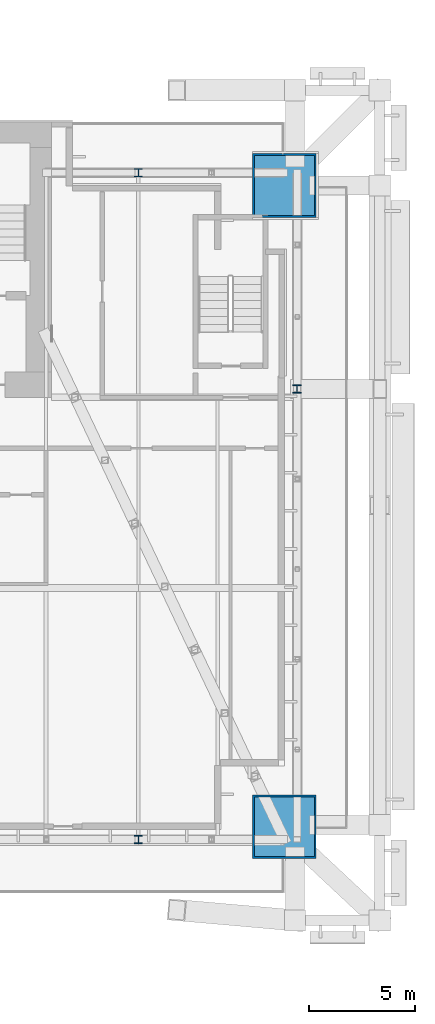
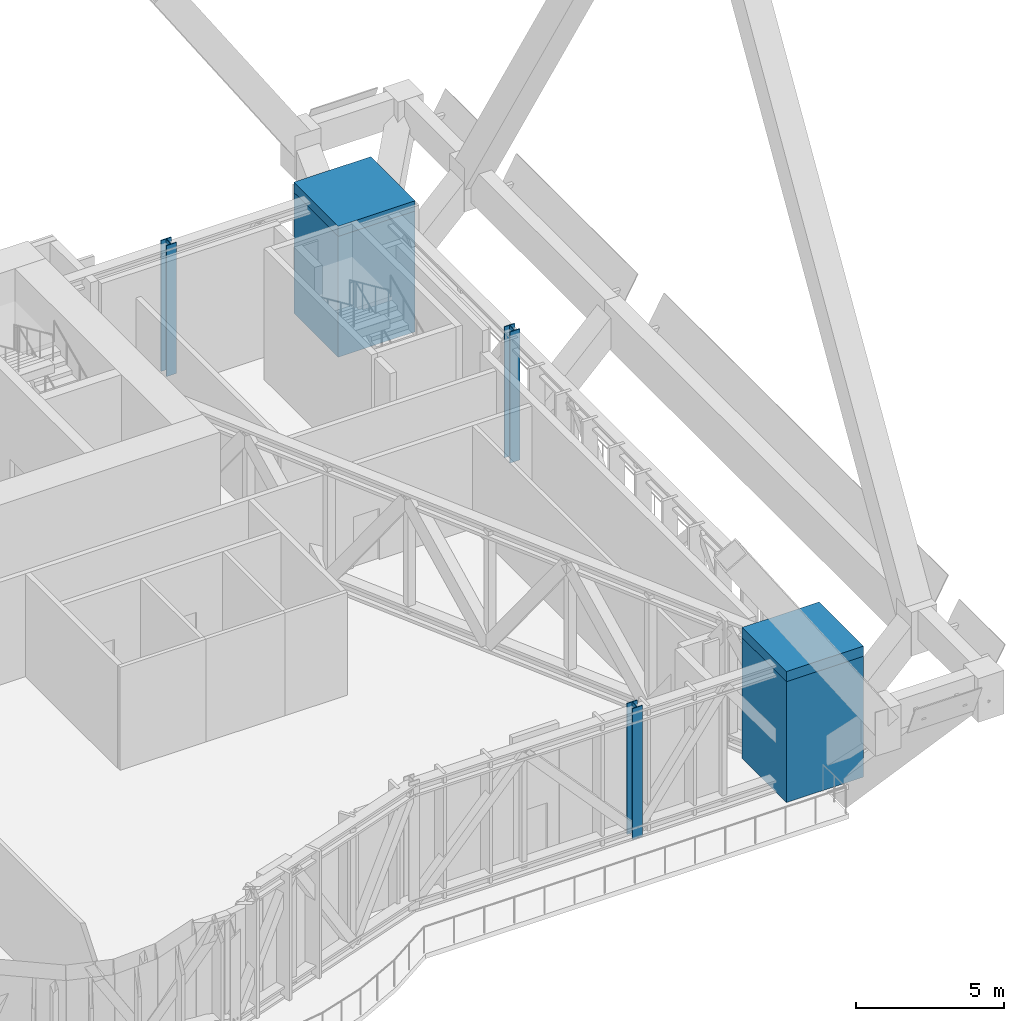
# One storey, part 3 of 32: 7 columns.
"""IFC4 building model written with IfcOpenShell, lengths in metres."""

from ifc_helpers import new_model, si_unit, direction, frame, origin, origin_2d, place, context, subcontext, project, spatial, rectangle, hollow_rectangle, i_section, extrude, material, material_profile, profile_set, type_object, element, save


model = new_model("IFC4")

# Units and contexts
model_context = context("Model", 3, precision=1e-05, world=origin(), true_north=direction((0.0, 1.0)))
body_context = subcontext(model_context, "Body", "Model", "MODEL_VIEW")
ifc_project = project(units=[si_unit("LENGTHUNIT", "METRE"), si_unit("AREAUNIT", "SQUARE_METRE"), si_unit("VOLUMEUNIT", "CUBIC_METRE"), si_unit("PLANEANGLEUNIT", "RADIAN"), si_unit("MASSUNIT", "GRAM", prefix="KILO")], contexts=[model_context])

# Site, building, storey
site_placement = place(None, origin())
site = spatial("IfcSite", under=ifc_project, at=site_placement, CompositionType="ELEMENT")
building_placement = place(site_placement, origin())
building = spatial("IfcBuilding", under=site, at=building_placement, Name="Bicima Exchange Tower", CompositionType="ELEMENT")
storey_placement = place(building_placement, frame((0.0, 0.0, 135.0)))
storey = spatial("IfcBuildingStorey", under=building, at=storey_placement, Name="L29", CompositionType="ELEMENT", Elevation=135.0)

# Columns
ifc_material_1 = material(Name="Steel ASTM A572 Gr 50", Category="steel")
ifc_material_profile_1 = material_profile(ifc_material_1, hollow_rectangle(XDim=3.0, YDim=3.0, WallThickness=0.090087890625, at=origin_2d()))
ifc_profile_set_1 = profile_set([ifc_material_profile_1], Name="Steel ASTM A572 Gr 50")
column_type_1 = type_object("IfcColumnType", Name="Mega column BOX 3000x3000x90", PredefinedType="COLUMN", material=ifc_profile_set_1)
for number, where, z_axis, x_axis, name in (
    (1, (33.0, -33.26611328125, 0.0), (0.0, 0.0, 1.0), (1.0, 0.0, 0.0), "Mega column mega+33.0f"),
    (2, (33.0, -3.0, 0.0), (0.0, 0.0, 1.0), (1.0, 0.0, 0.0), "Mega column mega+33.0r"),
):
    element("IfcColumn", number, at=place(storey_placement, frame(where, z_axis=z_axis, x_axis=x_axis)), inside=storey, type_object=column_type_1, Name=name, PredefinedType="COLUMN", context=body_context, shape_type="SweptSolid", body=[
        extrude(hollow_rectangle(XDim=3.0, YDim=3.0, WallThickness=0.090087890625, at=origin_2d()), origin(), (0.0, 0.0, 1.0), 4.97998046875),
    ])
ifc_material_profile_2 = material_profile(ifc_material_1, rectangle(XDim=3.0, YDim=3.0, at=origin_2d()))
ifc_profile_set_2 = profile_set([ifc_material_profile_2], Name="Steel ASTM A572 Gr 50")
column_type_2 = type_object("IfcColumnType", Name="Mega column transition block 3000 x 420", PredefinedType="COLUMN", material=ifc_profile_set_2)
for number, where, z_axis, x_axis, name in (
    (3, (33.0, -33.26611328125, 4.97998046875), (0.0, 0.0, 1.0), (1.0, 0.0, 0.0), "Mega column transition block mega+33.0f"),
    (4, (33.0, -3.0, 4.97998046875), (0.0, 0.0, 1.0), (1.0, 0.0, 0.0), "Mega column transition block mega+33.0r"),
):
    element("IfcColumn", number, at=place(storey_placement, frame(where, z_axis=z_axis, x_axis=x_axis)), inside=storey, type_object=column_type_2, Name=name, PredefinedType="COLUMN", context=body_context, shape_type="SweptSolid", body=[
        extrude(rectangle(XDim=3.0, YDim=3.0, at=origin_2d()), origin(), (0.0, 0.0, 1.0), 0.419921875),
    ])
ifc_material_2 = material(Name="Steel ASTM A992 Gr 50", Category="steel")
ifc_material_profile_3 = material_profile(ifc_material_2, i_section(OverallWidth=0.398681640625, OverallDepth=0.393798828125, WebThickness=0.022705078125, FlangeThickness=0.03662109375, at=origin_2d()))
ifc_profile_set_3 = profile_set([ifc_material_profile_3], Name="Steel ASTM A992 Gr 50")
column_type_3 = type_object("IfcColumnType", Name="Perimeter column W14x193", PredefinedType="COLUMN", material=ifc_profile_set_3)
for number, where, z_axis, x_axis, name in (
    (5, (26.10009765625, -33.865966796875, 0.0), (0.0, 0.0, 1.0), (1.0, 0.0, 0.0), "Perimeter column grav+26.1f"),
    (6, (26.10009765625, -2.39990234375, 0.0), (0.0, 0.0, 1.0), (1.0, 0.0, 0.0), "Perimeter column grav+26.1r"),
    (7, (33.60009765625, -12.60009765625, 0.0), (0.0, 0.0, 1.0), (1.0, 0.0, 0.0), "End column end+33.6e"),
):
    element("IfcColumn", number, at=place(storey_placement, frame(where, z_axis=z_axis, x_axis=x_axis)), inside=storey, type_object=column_type_3, Name=name, PredefinedType="COLUMN", context=body_context, shape_type="SweptSolid", body=[
        extrude(i_section(OverallWidth=0.398681640625, OverallDepth=0.393798828125, WebThickness=0.022705078125, FlangeThickness=0.03662109375, at=origin_2d()), origin(), (0.0, 0.0, 1.0), 5.39990234375),
    ])

save(model, "model.ifc")
